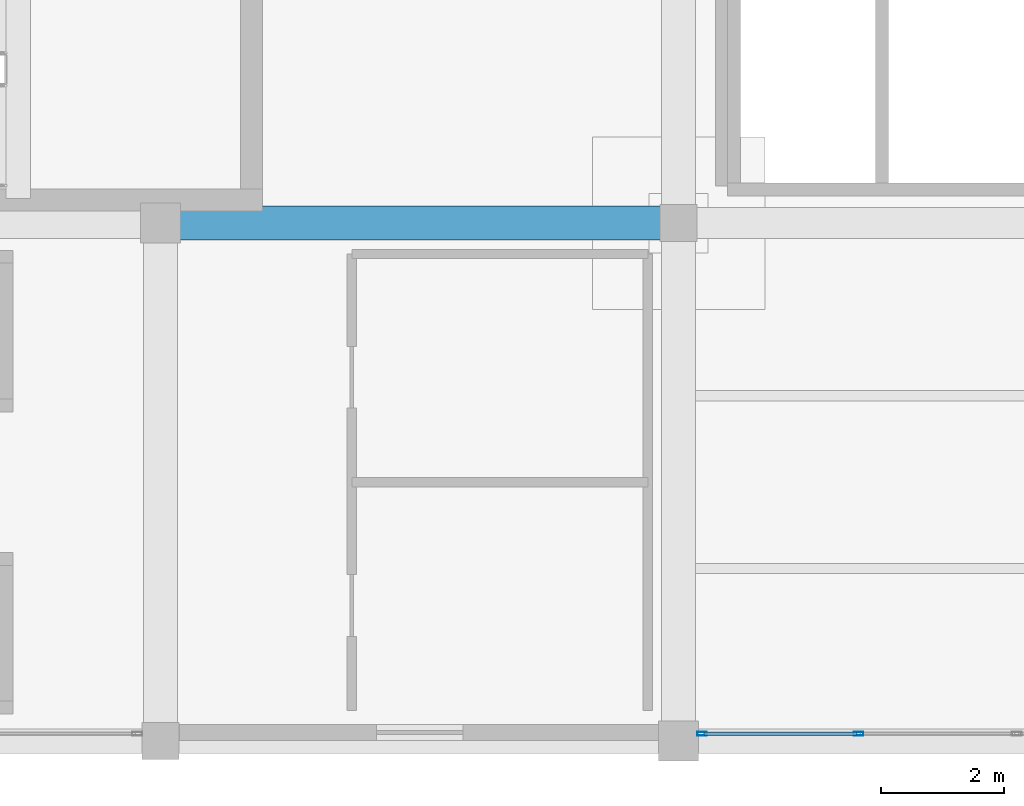
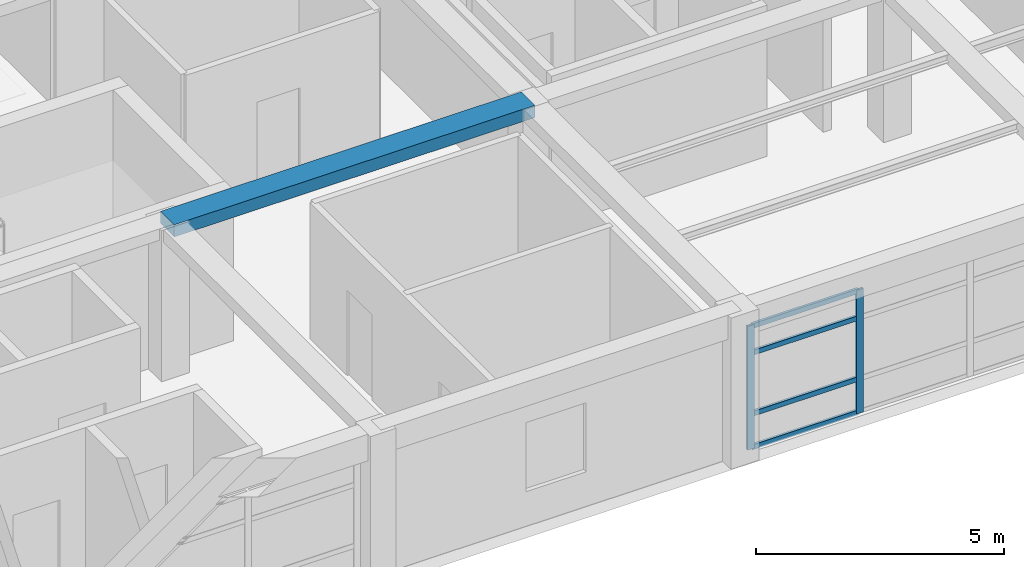
# One storey, part 5 of 25: 6 members, 1 beam, 1 element without a shape of its own.
"""IFC4 building model written with IfcOpenShell, lengths in metres."""

from ifc_helpers import new_model, si_unit, direction, frame, origin, origin_2d, place, context, subcontext, project, spatial, rectangle, hollow_rectangle, extrude, material, material_profile, profile_set, type_object, element, aggregate, save


model = new_model("IFC4")

# Units and contexts
model_context = context("Model", 3, precision=1e-05, world=origin(), true_north=direction((0.0, 1.0)))
body_context = subcontext(model_context, "Body", "Model", "MODEL_VIEW")
ifc_project = project(units=[si_unit("LENGTHUNIT", "METRE"), si_unit("AREAUNIT", "SQUARE_METRE"), si_unit("VOLUMEUNIT", "CUBIC_METRE"), si_unit("PLANEANGLEUNIT", "RADIAN"), si_unit("MASSUNIT", "GRAM", prefix="KILO")], contexts=[model_context])

# Site, building, storey
site_placement = place(None, origin())
site = spatial("IfcSite", under=ifc_project, at=site_placement, CompositionType="ELEMENT")
building_placement = place(site_placement, origin())
building = spatial("IfcBuilding", under=site, at=building_placement, Name="Almacenes y Pasaje Nevantli", CompositionType="ELEMENT")
storey_placement = place(building_placement, frame((0.0, 0.0, 50.699951171875)))
storey = spatial("IfcBuildingStorey", under=building, at=storey_placement, Name="L12", CompositionType="ELEMENT", Elevation=50.699951171875)

# Beam
ifc_material_1 = material(Name="Concrete C35/45", Category="concrete")
ifc_material_profile_1 = material_profile(ifc_material_1, rectangle(XDim=0.550048828125, YDim=0.300048828125, at=origin_2d()), Name="RC-BM-550x300")
ifc_profile_set_1 = profile_set([ifc_material_profile_1], Name="Concrete C35/45")
beam_type = type_object("IfcBeamType", Name="BM-RC-550x300", PredefinedType="BEAM", material=ifc_profile_set_1)
beam_placement = place(storey_placement, frame((126.0, 75.60009765625, 3.570068359375), z_axis=(1.0, 0.0, 0.0), x_axis=(0.0, 1.0, 0.0)))
element("IfcBeam", 1, at=beam_placement, inside=storey, type_object=beam_type, Name="L12 East-West Reinforced Concrete Beam #3897", PredefinedType="BEAM", context=body_context, shape_type="SweptSolid", body=[
    extrude(rectangle(XDim=0.550048828125, YDim=0.300048828125, at=origin_2d()), origin(), (0.0, 0.0, 1.0), 8.39990234375),
])

# Curtain wall, members
ifc_material_2 = material(Name="Thermally Broken Aluminium and Low-E Glass", Category="aluminium")
curtain_wall_type = type_object("IfcCurtainWallType", Name="CW-UNIT-TOWER", PredefinedType="USERDEFINED", material=ifc_material_2)
curtain_wall_placement = place(storey_placement, origin())
curtain_wall = element("IfcCurtainWall", 2, at=curtain_wall_placement, inside=storey, type_object=curtain_wall_type, Name="L12 Tower South Unitized Curtain Wall Bay 17", ObjectType="UNITIZED CURTAIN WALL", PredefinedType="USERDEFINED")
ifc_material_3 = material(Name="Thermally Broken Anodized Aluminium", Category="aluminium")
ifc_material_profile_2 = material_profile(ifc_material_3, hollow_rectangle(XDim=0.06005859375, YDim=0.159912109375, WallThickness=0.00390625, at=origin_2d()), Name="ALU-MUL-60x160")
ifc_profile_set_2 = profile_set([ifc_material_profile_2], Name="Thermally Broken Anodized Aluminium")
member_type_1 = type_object("IfcMemberType", Name="CW-MUL-180", PredefinedType="MULLION", material=ifc_profile_set_2)
member_1_placement = place(storey_placement, frame((134.780029296875, 67.320068359375, 0.0), z_axis=(0.0, 0.0, 1.0), x_axis=(0.0, 1.0, 0.0)))
member_1 = element("IfcMember", 3, at=member_1_placement, type_object=member_type_1, Name="CW-L12-161 mullion 1", PredefinedType="MULLION", context=body_context, shape_type="SweptSolid", body=[
    extrude(hollow_rectangle(XDim=0.06005859375, YDim=0.159912109375, WallThickness=0.00390625, at=origin_2d()), origin(), (0.0, 0.0, 1.0), 3.0400390625),
])
member_2_placement = place(storey_placement, frame((137.316650390625, 67.320068359375, 0.0), z_axis=(0.0, 0.0, 1.0), x_axis=(0.0, 1.0, 0.0)))
member_2 = element("IfcMember", 4, at=member_2_placement, type_object=member_type_1, Name="CW-L12-161 mullion 2", PredefinedType="MULLION", context=body_context, shape_type="SweptSolid", body=[
    extrude(hollow_rectangle(XDim=0.06005859375, YDim=0.159912109375, WallThickness=0.00390625, at=origin_2d()), origin(), (0.0, 0.0, 1.0), 3.0400390625),
])
ifc_material_4 = material(Name="Thermally Broken Anodized Aluminium", Category="aluminium")
ifc_material_profile_3 = material_profile(ifc_material_4, hollow_rectangle(XDim=0.06005859375, YDim=0.1201171875, WallThickness=0.00341796875, at=origin_2d()), Name="ALU-TRN-60x120")
ifc_profile_set_3 = profile_set([ifc_material_profile_3], Name="Thermally Broken Anodized Aluminium")
member_type_2 = type_object("IfcMemberType", Name="CW-TRN-130", PredefinedType="USERDEFINED", material=ifc_profile_set_3)
member_3_placement = place(storey_placement, frame((134.81005859375, 67.320068359375, 0.030029296875), z_axis=(1.0, 0.0, 0.0), x_axis=(0.0, 1.0, 0.0)))
member_3 = element("IfcMember", 5, at=member_3_placement, type_object=member_type_2, Name="CW-L12-161 transom 1.1", ObjectType="TRANSOM", PredefinedType="USERDEFINED", context=body_context, shape_type="SweptSolid", body=[
    extrude(hollow_rectangle(XDim=0.06005859375, YDim=0.1201171875, WallThickness=0.00341796875, at=origin_2d()), origin(), (0.0, 0.0, 1.0), 2.4765625),
])
member_4_placement = place(storey_placement, frame((134.81005859375, 67.320068359375, 0.85009765625), z_axis=(1.0, 0.0, 0.0), x_axis=(0.0, 1.0, 0.0)))
member_4 = element("IfcMember", 6, at=member_4_placement, type_object=member_type_2, Name="CW-L12-161 transom 1.2", ObjectType="TRANSOM", PredefinedType="USERDEFINED", context=body_context, shape_type="SweptSolid", body=[
    extrude(hollow_rectangle(XDim=0.06005859375, YDim=0.1201171875, WallThickness=0.00341796875, at=origin_2d()), origin(), (0.0, 0.0, 1.0), 2.4765625),
])
member_5_placement = place(storey_placement, frame((134.81005859375, 67.320068359375, 2.35009765625), z_axis=(1.0, 0.0, 0.0), x_axis=(0.0, 1.0, 0.0)))
member_5 = element("IfcMember", 7, at=member_5_placement, type_object=member_type_2, Name="CW-L12-161 transom 1.3", ObjectType="TRANSOM", PredefinedType="USERDEFINED", context=body_context, shape_type="SweptSolid", body=[
    extrude(hollow_rectangle(XDim=0.06005859375, YDim=0.1201171875, WallThickness=0.00341796875, at=origin_2d()), origin(), (0.0, 0.0, 1.0), 2.4765625),
])
member_6_placement = place(storey_placement, frame((134.81005859375, 67.320068359375, 3.010009765625), z_axis=(1.0, 0.0, 0.0), x_axis=(0.0, 1.0, 0.0)))
member_6 = element("IfcMember", 8, at=member_6_placement, type_object=member_type_2, Name="CW-L12-161 transom 1.4", ObjectType="TRANSOM", PredefinedType="USERDEFINED", context=body_context, shape_type="SweptSolid", body=[
    extrude(hollow_rectangle(XDim=0.06005859375, YDim=0.1201171875, WallThickness=0.00341796875, at=origin_2d()), origin(), (0.0, 0.0, 1.0), 2.4765625),
])
aggregate(curtain_wall, [member_1, member_2, member_3, member_4, member_5, member_6])

save(model, "model.ifc")
